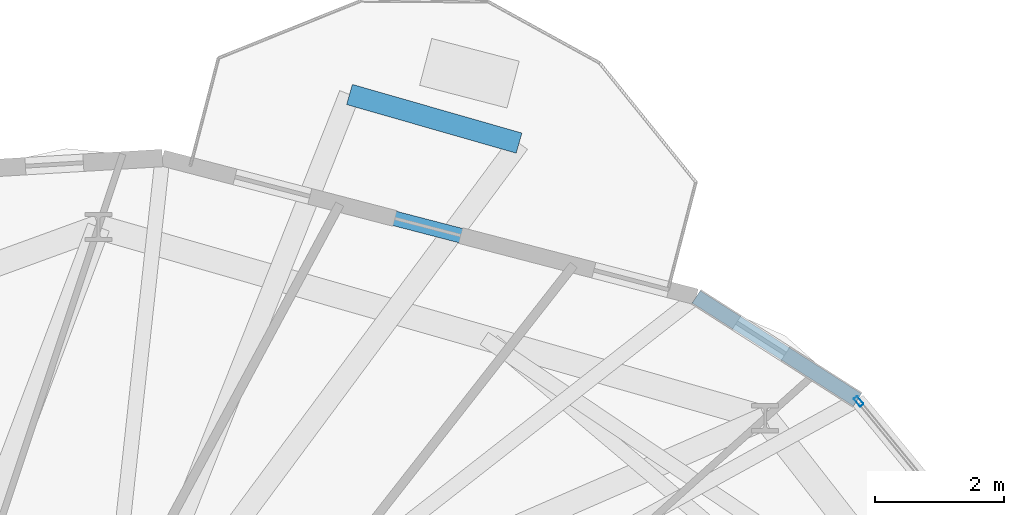
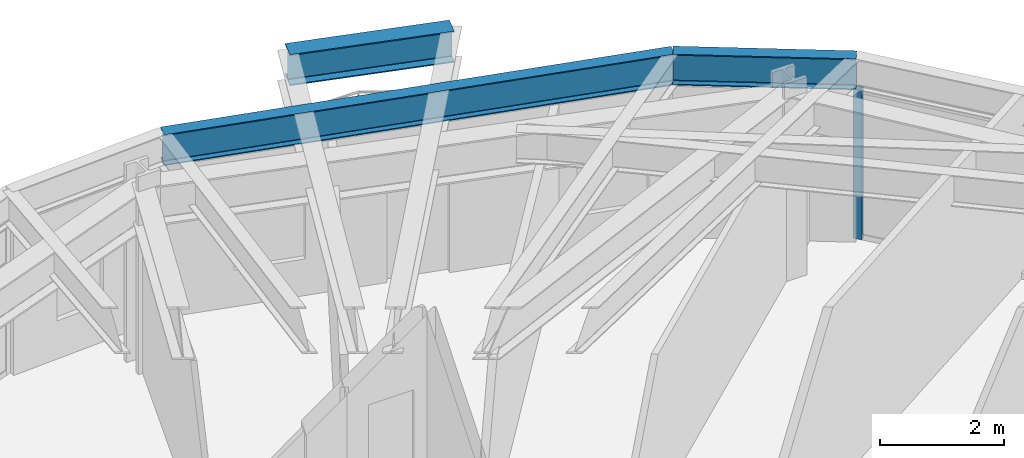
# One storey, part 15 of 22: 3 beams, 1 member, 1 element without a shape of its own.
"""IFC4 building model written with IfcOpenShell, lengths in metres."""

from ifc_helpers import new_model, si_unit, direction, frame, origin, origin_2d, place, context, subcontext, project, spatial, hollow_rectangle, i_section, extrude, material, layer, layer_set, material_profile, profile_set, type_object, element, aggregate, save


model = new_model("IFC4")

# Units and contexts
model_context = context("Model", 3, precision=1e-05, world=origin(), true_north=direction((0.0, 1.0)))
body_context = subcontext(model_context, "Body", "Model", "MODEL_VIEW")
ifc_project = project(units=[si_unit("LENGTHUNIT", "METRE"), si_unit("AREAUNIT", "SQUARE_METRE"), si_unit("VOLUMEUNIT", "CUBIC_METRE"), si_unit("PLANEANGLEUNIT", "RADIAN"), si_unit("MASSUNIT", "GRAM", prefix="KILO")], contexts=[model_context])

# Site, building, storey
site_placement = place(None, origin())
site = spatial("IfcSite", under=ifc_project, at=site_placement, CompositionType="ELEMENT")
building_placement = place(site_placement, origin())
building = spatial("IfcBuilding", under=site, at=building_placement, Name="Soratama Intermodal Tower", CompositionType="ELEMENT")
storey_placement = place(building_placement, frame((0.0, 0.0, 110.800048828125)))
storey = spatial("IfcBuildingStorey", under=building, at=storey_placement, Name="L26", CompositionType="ELEMENT", Elevation=110.800048828125)

# Beams
ifc_material_1 = material(Name="Structural steel ASTM A992 Grade 50", Category="steel")
ifc_material_profile_1 = material_profile(ifc_material_1, i_section(OverallWidth=0.324951171875, OverallDepth=0.615966796875, WebThickness=0.013916015625, FlangeThickness=0.021484375, FilletRadius=0.013916015625, at=origin_2d()), Name="W24X117")
ifc_profile_set_1 = profile_set([ifc_material_profile_1], Name="Structural steel ASTM A992 Grade 50")
beam_type_1 = type_object("IfcBeamType", Name="BM-CANT-W24X117", PredefinedType="BEAM", material=ifc_profile_set_1)
beam_1_placement = place(storey_placement, frame((50.9130859375, 43.69091796875, 3.2919921875), z_axis=(-0.961237120959, 0.275723044539, 0.0), x_axis=(-0.275723044539, -0.961237120959, 0.0)))
element("IfcBeam", 1, at=beam_1_placement, inside=storey, type_object=beam_type_1, Name="BM-L26-CBHDR-1", PredefinedType="BEAM", context=body_context, shape_type="SweptSolid", body=[
    extrude(i_section(OverallWidth=0.324951171875, OverallDepth=0.615966796875, WebThickness=0.013916015625, FlangeThickness=0.021484375, FilletRadius=0.013916015625, at=origin_2d()), origin(), (0.0, 0.0, 1.0), 2.735107421875),
])
ifc_material_2 = material(Name="Structural steel ASTM A992 Grade 50", Category="steel")
ifc_material_profile_2 = material_profile(ifc_material_2, i_section(OverallWidth=0.22900390625, OverallDepth=0.612060546875, WebThickness=0.011962890625, FlangeThickness=0.01953125, FilletRadius=0.012939453125, at=origin_2d()), Name="W24X84")
ifc_profile_set_2 = profile_set([ifc_material_profile_2], Name="Structural steel ASTM A992 Grade 50")
beam_type_2 = type_object("IfcBeamType", Name="BM-SPN-W24X84", PredefinedType="SPANDREL", material=ifc_profile_set_2)
beam_2_placement = place(storey_placement, frame((56.159912109375, 39.7099609375, 3.2939453125), z_axis=(-0.842741893279, 0.538317844134, 0.0), x_axis=(-0.538317844134, -0.842741893279, 0.0)))
element("IfcBeam", 2, at=beam_2_placement, inside=storey, type_object=beam_type_2, Name="BS-L26-CRN01", PredefinedType="SPANDREL", context=body_context, shape_type="SweptSolid", body=[
    extrude(i_section(OverallWidth=0.22900390625, OverallDepth=0.612060546875, WebThickness=0.011962890625, FlangeThickness=0.01953125, FilletRadius=0.012939453125, at=origin_2d()), origin(), (0.0, 0.0, 1.0), 2.966552734375),
])
beam_3_placement = place(storey_placement, frame((53.659912109375, 41.306884765625, 3.2939453125), z_axis=(-0.967791353594, 0.2517536413, 0.0), x_axis=(-0.2517536413, -0.967791353594, 0.0)))
element("IfcBeam", 3, at=beam_3_placement, inside=storey, type_object=beam_type_2, Name="BS-L26-F02", PredefinedType="SPANDREL", context=body_context, shape_type="SweptSolid", body=[
    extrude(i_section(OverallWidth=0.22900390625, OverallDepth=0.612060546875, WebThickness=0.011962890625, FlangeThickness=0.01953125, FilletRadius=0.012939453125, at=origin_2d()), origin(), (0.0, 0.0, 1.0), 8.55224609375),
])

# Curtain wall, member
ifc_material_3 = material(Name="Double-glazed aluminium curtain wall", Category="aluminium")
ifc_layer = layer(ifc_material_3, 0.159912109375)
ifc_layer_set = layer_set([ifc_layer], Name="Double-glazed aluminium curtain wall")
curtain_wall_type = type_object("IfcCurtainWallType", Name="CW-SYS-3", PredefinedType="NOTDEFINED", material=ifc_layer_set)
curtain_wall_placement = place(storey_placement, origin())
curtain_wall = element("IfcCurtainWall", 4, at=curtain_wall_placement, inside=storey, type_object=curtain_wall_type, Name="L26 Faceted Curtain Wall F01", PredefinedType="NOTDEFINED")
ifc_material_4 = material(Name="Anodised aluminium AA 6063-T6", Category="aluminium")
ifc_material_profile_3 = material_profile(ifc_material_4, hollow_rectangle(XDim=0.070068359375, YDim=0.159912109375, WallThickness=0.0048828125, InnerFilletRadius=0.0048828125, OuterFilletRadius=0.010009765625, at=origin_2d()), Name="CWM160X70X5")
ifc_profile_set_3 = profile_set([ifc_material_profile_3], Name="Anodised aluminium AA 6063-T6")
member_type = type_object("IfcMemberType", Name="MT-CWM-3", PredefinedType="MULLION", material=ifc_profile_set_3)
member_placement = place(storey_placement, frame((56.179443359375, 39.6865234375, 0.0), z_axis=(0.0, 0.0, 1.0), x_axis=(-0.77251342291, -0.634998434191, 0.0)))
member = element("IfcMember", 5, at=member_placement, type_object=member_type, Name="CW-3 mullion 2", PredefinedType="MULLION", context=body_context, shape_type="SweptSolid", body=[
    extrude(hollow_rectangle(XDim=0.070068359375, YDim=0.159912109375, WallThickness=0.0048828125, InnerFilletRadius=0.0048828125, OuterFilletRadius=0.010009765625, at=origin_2d()), origin(), (0.0, 0.0, 1.0), 2.97900390625),
])
aggregate(curtain_wall, [member])

save(model, "model.ifc")
